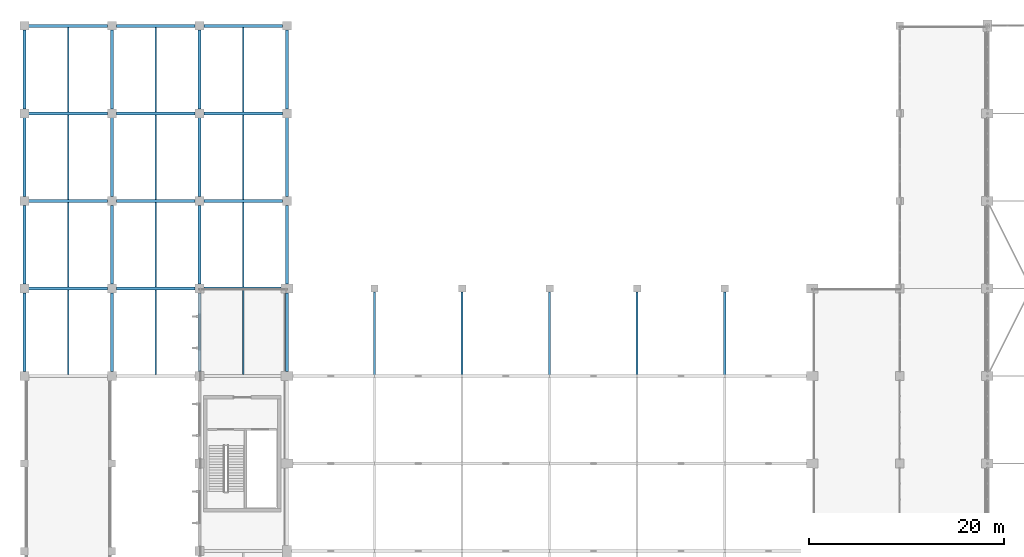
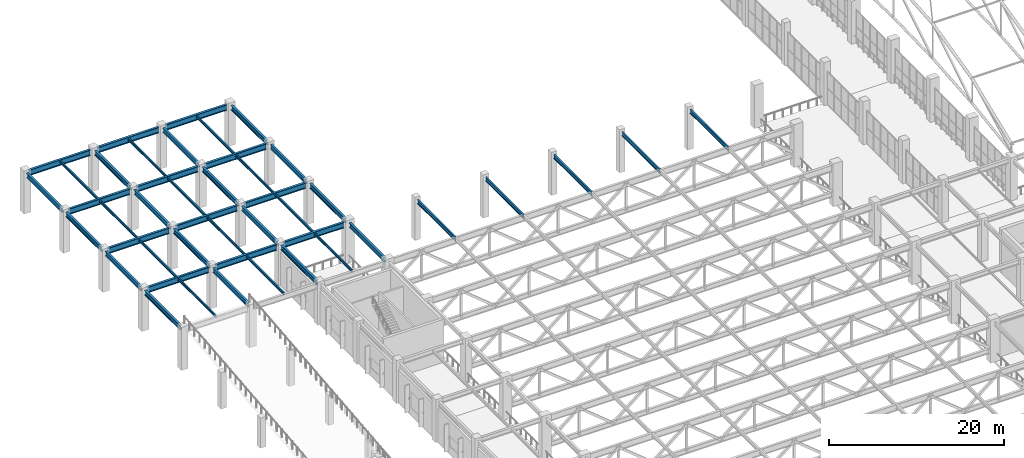
# One storey, part 106 of 223: 45 beams.
"""IFC4 building model written with IfcOpenShell, lengths in metres."""

from ifc_helpers import new_model, si_unit, direction, frame, origin, origin_2d, place, context, subcontext, project, spatial, i_section, extrude, material, material_profile, profile_set, type_object, element, save


model = new_model("IFC4")

# Units and contexts
model_context = context("Model", 3, precision=1e-05, world=origin(), true_north=direction((0.0, 1.0)))
body_context = subcontext(model_context, "Body", "Model", "MODEL_VIEW")
ifc_project = project(units=[si_unit("LENGTHUNIT", "METRE"), si_unit("AREAUNIT", "SQUARE_METRE"), si_unit("VOLUMEUNIT", "CUBIC_METRE"), si_unit("PLANEANGLEUNIT", "RADIAN"), si_unit("MASSUNIT", "GRAM", prefix="KILO")], contexts=[model_context])

# Site, building, storey
site_placement = place(None, origin())
site = spatial("IfcSite", under=ifc_project, at=site_placement, CompositionType="ELEMENT")
building_placement = place(site_placement, origin())
building = spatial("IfcBuilding", under=site, at=building_placement, Name="Dornveld Trade and Exhibition Forum", CompositionType="ELEMENT")
storey_placement = place(building_placement, frame((0.0, 0.0, 6.0)))
storey = spatial("IfcBuildingStorey", under=building, at=storey_placement, Name="L01", CompositionType="ELEMENT", Elevation=6.0)

# Beams
ifc_material_1 = material(Name="Steel S355J2", Category="steel")
ifc_material_profile_1 = material_profile(ifc_material_1, i_section(OverallWidth=0.300048828125, OverallDepth=0.64990234375, WebThickness=0.01611328125, FlangeThickness=0.031005859375, FilletRadius=0.027099609375, at=origin_2d()), Name="HEB 650")
ifc_profile_set_1 = profile_set([ifc_material_profile_1], Name="Steel S355J2")
beam_type_1 = type_object("IfcBeamType", Name="BM-GIR-HEB650", PredefinedType="USERDEFINED", material=ifc_profile_set_1)
for number, where, z_axis, x_axis, name in (
    (1, (0.0, 126.446044921875, 5.324951171875), (0.0, 1.0, 0.0), (-1.0, 0.0, 0.0), "L01 Y-girder 1089"),
    (2, (0.0, 135.446044921875, 5.324951171875), (0.0, 1.0, 0.0), (-1.0, 0.0, 0.0), "L01 Y-girder 1090"),
    (3, (0.0, 144.446044921875, 5.324951171875), (0.0, 1.0, 0.0), (-1.0, 0.0, 0.0), "L01 Y-girder 1091"),
    (4, (0.0, 153.446044921875, 5.324951171875), (0.0, 1.0, 0.0), (-1.0, 0.0, 0.0), "L01 Y-girder 1092"),
    (5, (9.0, 126.446044921875, 5.324951171875), (0.0, 1.0, 0.0), (-1.0, 0.0, 0.0), "L01 Y-girder 1093"),
    (6, (9.0, 135.446044921875, 5.324951171875), (0.0, 1.0, 0.0), (-1.0, 0.0, 0.0), "L01 Y-girder 1094"),
    (7, (9.0, 144.446044921875, 5.324951171875), (0.0, 1.0, 0.0), (-1.0, 0.0, 0.0), "L01 Y-girder 1095"),
    (8, (9.0, 153.446044921875, 5.324951171875), (0.0, 1.0, 0.0), (-1.0, 0.0, 0.0), "L01 Y-girder 1096"),
    (9, (18.0, 126.446044921875, 5.324951171875), (0.0, 1.0, 0.0), (-1.0, 0.0, 0.0), "L01 Y-girder 1097"),
    (10, (18.0, 135.446044921875, 5.324951171875), (0.0, 1.0, 0.0), (-1.0, 0.0, 0.0), "L01 Y-girder 1098"),
    (11, (18.0, 144.446044921875, 5.324951171875), (0.0, 1.0, 0.0), (-1.0, 0.0, 0.0), "L01 Y-girder 1099"),
    (12, (18.0, 153.446044921875, 5.324951171875), (0.0, 1.0, 0.0), (-1.0, 0.0, 0.0), "L01 Y-girder 1100"),
    (13, (27.0, 126.446044921875, 5.31298828125), (0.0, 1.0, 0.0), (-1.0, 0.0, 0.0), "L01 Y-girder 1101"),
    (14, (27.0, 135.446044921875, 5.324951171875), (0.0, 1.0, 0.0), (-1.0, 0.0, 0.0), "L01 Y-girder 1102"),
    (15, (27.0, 144.446044921875, 5.324951171875), (0.0, 1.0, 0.0), (-1.0, 0.0, 0.0), "L01 Y-girder 1103"),
    (16, (27.0, 153.446044921875, 5.324951171875), (0.0, 1.0, 0.0), (-1.0, 0.0, 0.0), "L01 Y-girder 1104"),
):
    element("IfcBeam", number, at=place(storey_placement, frame(where, z_axis=z_axis, x_axis=x_axis)), inside=storey, type_object=beam_type_1, Name=name, ObjectType="GIRDER", PredefinedType="USERDEFINED", context=body_context, shape_type="SweptSolid", body=[
        extrude(i_section(OverallWidth=0.300048828125, OverallDepth=0.64990234375, WebThickness=0.01611328125, FlangeThickness=0.031005859375, FilletRadius=0.027099609375, at=origin_2d()), origin(), (0.0, 0.0, 1.0), 8.10791015625),
    ])
ifc_material_2 = material(Name="Steel S355J2", Category="steel")
ifc_material_profile_2 = material_profile(ifc_material_2, i_section(OverallWidth=0.300048828125, OverallDepth=0.800048828125, WebThickness=0.017578125, FlangeThickness=0.032958984375, FilletRadius=0.030029296875, at=origin_2d()), Name="HEB 800")
ifc_profile_set_2 = profile_set([ifc_material_profile_2], Name="Steel S355J2")
beam_type_2 = type_object("IfcBeamType", Name="BM-GIR-HEB800", PredefinedType="USERDEFINED", material=ifc_profile_set_2)
for number, where, z_axis, x_axis, name in (
    (17, (0.446044921875, 135.0, 5.25), (1.0, 0.0, 0.0), (0.0, 1.0, 0.0), "L01 X-girder 1077"),
    (18, (9.446044921875, 135.0, 5.25), (1.0, 0.0, 0.0), (0.0, 1.0, 0.0), "L01 X-girder 1078"),
):
    element("IfcBeam", number, at=place(storey_placement, frame(where, z_axis=z_axis, x_axis=x_axis)), inside=storey, type_object=beam_type_2, Name=name, ObjectType="GIRDER", PredefinedType="USERDEFINED", context=body_context, shape_type="SweptSolid", body=[
        extrude(i_section(OverallWidth=0.300048828125, OverallDepth=0.800048828125, WebThickness=0.017578125, FlangeThickness=0.032958984375, FilletRadius=0.030029296875, at=origin_2d()), origin(), (0.0, 0.0, 1.0), 8.10791015625),
    ])
beam_placement = place(storey_placement, frame((18.446044921875, 135.0, 5.25), z_axis=(1.0, 0.0, 0.0), x_axis=(0.0, 1.0, 0.0)))
element("IfcBeam", 19, at=beam_placement, inside=storey, type_object=beam_type_2, Name="L01 X-girder 1079", ObjectType="GIRDER", PredefinedType="USERDEFINED", context=body_context, shape_type="SweptSolid", body=[
    extrude(i_section(OverallWidth=0.300048828125, OverallDepth=0.800048828125, WebThickness=0.017578125, FlangeThickness=0.032958984375, FilletRadius=0.030029296875, at=origin_2d()), origin(), (0.0, 0.0, 1.0), 7.9580078125),
])
for number, where, z_axis, x_axis, name in (
    (20, (0.446044921875, 144.0, 5.25), (1.0, 0.0, 0.0), (0.0, 1.0, 0.0), "L01 X-girder 1080"),
    (21, (9.446044921875, 144.0, 5.25), (1.0, 0.0, 0.0), (0.0, 1.0, 0.0), "L01 X-girder 1081"),
    (22, (18.446044921875, 144.0, 5.25), (1.0, 0.0, 0.0), (0.0, 1.0, 0.0), "L01 X-girder 1082"),
    (23, (0.446044921875, 153.0, 5.25), (1.0, 0.0, 0.0), (0.0, 1.0, 0.0), "L01 X-girder 1083"),
    (24, (9.446044921875, 153.0, 5.25), (1.0, 0.0, 0.0), (0.0, 1.0, 0.0), "L01 X-girder 1084"),
    (25, (18.446044921875, 153.0, 5.25), (1.0, 0.0, 0.0), (0.0, 1.0, 0.0), "L01 X-girder 1085"),
    (26, (0.446044921875, 162.0, 5.25), (1.0, 0.0, 0.0), (0.0, 1.0, 0.0), "L01 X-girder 1086"),
    (27, (9.446044921875, 162.0, 5.25), (1.0, 0.0, 0.0), (0.0, 1.0, 0.0), "L01 X-girder 1087"),
    (28, (18.446044921875, 162.0, 5.25), (1.0, 0.0, 0.0), (0.0, 1.0, 0.0), "L01 X-girder 1088"),
):
    element("IfcBeam", number, at=place(storey_placement, frame(where, z_axis=z_axis, x_axis=x_axis)), inside=storey, type_object=beam_type_2, Name=name, ObjectType="GIRDER", PredefinedType="USERDEFINED", context=body_context, shape_type="SweptSolid", body=[
        extrude(i_section(OverallWidth=0.300048828125, OverallDepth=0.800048828125, WebThickness=0.017578125, FlangeThickness=0.032958984375, FilletRadius=0.030029296875, at=origin_2d()), origin(), (0.0, 0.0, 1.0), 8.10791015625),
    ])
ifc_material_3 = material(Name="Steel S355J2", Category="steel")
ifc_material_profile_3 = material_profile(ifc_material_3, i_section(OverallWidth=0.169921875, OverallDepth=0.360107421875, WebThickness=0.008056640625, FlangeThickness=0.0126953125, FilletRadius=0.01806640625, at=origin_2d()), Name="IPE 360")
ifc_profile_set_3 = profile_set([ifc_material_profile_3], Name="Steel S355J2")
beam_type_3 = type_object("IfcBeamType", Name="BM-JOIST-360", PredefinedType="JOIST", material=ifc_profile_set_3)
for number, where, z_axis, x_axis, name in (
    (29, (4.5, 126.14697265625, 5.469970703125), (0.0, 1.0, 0.0), (-1.0, 0.0, 0.0), "L01 secondary joist 1105"),
    (30, (4.5, 135.14697265625, 5.469970703125), (0.0, 1.0, 0.0), (-1.0, 0.0, 0.0), "L01 secondary joist 1106"),
    (31, (4.5, 144.14697265625, 5.469970703125), (0.0, 1.0, 0.0), (-1.0, 0.0, 0.0), "L01 secondary joist 1107"),
    (32, (4.5, 153.14697265625, 5.469970703125), (0.0, 1.0, 0.0), (-1.0, 0.0, 0.0), "L01 secondary joist 1108"),
    (33, (13.5, 126.14697265625, 5.469970703125), (0.0, 1.0, 0.0), (-1.0, 0.0, 0.0), "L01 secondary joist 1109"),
    (34, (13.5, 135.14697265625, 5.469970703125), (0.0, 1.0, 0.0), (-1.0, 0.0, 0.0), "L01 secondary joist 1110"),
    (35, (13.5, 144.14697265625, 5.469970703125), (0.0, 1.0, 0.0), (-1.0, 0.0, 0.0), "L01 secondary joist 1111"),
    (36, (13.5, 153.14697265625, 5.469970703125), (0.0, 1.0, 0.0), (-1.0, 0.0, 0.0), "L01 secondary joist 1112"),
    (37, (22.5, 126.14697265625, 5.469970703125), (0.0, 1.0, 0.0), (-1.0, 0.0, 0.0), "L01 secondary joist 1113"),
    (38, (22.5, 135.14697265625, 5.469970703125), (0.0, 1.0, 0.0), (-1.0, 0.0, 0.0), "L01 secondary joist 1114"),
    (39, (22.5, 144.14697265625, 5.469970703125), (0.0, 1.0, 0.0), (-1.0, 0.0, 0.0), "L01 secondary joist 1115"),
    (40, (22.5, 153.14697265625, 5.469970703125), (0.0, 1.0, 0.0), (-1.0, 0.0, 0.0), "L01 secondary joist 1116"),
):
    element("IfcBeam", number, at=place(storey_placement, frame(where, z_axis=z_axis, x_axis=x_axis)), inside=storey, type_object=beam_type_3, Name=name, PredefinedType="JOIST", context=body_context, shape_type="SweptSolid", body=[
        extrude(i_section(OverallWidth=0.169921875, OverallDepth=0.360107421875, WebThickness=0.008056640625, FlangeThickness=0.0126953125, FilletRadius=0.01806640625, at=origin_2d()), origin(), (0.0, 0.0, 1.0), 8.7060546875),
    ])
ifc_material_4 = material(Name="Steel S355J2", Category="steel")
ifc_material_profile_4 = material_profile(ifc_material_4, i_section(OverallWidth=0.2099609375, OverallDepth=0.550048828125, WebThickness=0.010986328125, FlangeThickness=0.01708984375, FilletRadius=0.02392578125, at=origin_2d()), Name="IPE 550")
ifc_profile_set_4 = profile_set([ifc_material_profile_4], Name="Steel S355J2")
beam_type_4 = type_object("IfcBeamType", Name="BM-SEC-550", PredefinedType="BEAM", material=ifc_profile_set_4)
for number, where, z_axis, x_axis, name in (
    (41, (36.0, 126.0, 5.364990234375), (0.0, 1.0, 0.0), (-1.0, 0.0, 0.0), "Hall 3 secondary deck beam 1384"),
    (42, (45.0, 126.0, 5.364990234375), (0.0, 1.0, 0.0), (-1.0, 0.0, 0.0), "Hall 3 secondary deck beam 1395"),
    (43, (54.0, 126.0, 5.364990234375), (0.0, 1.0, 0.0), (-1.0, 0.0, 0.0), "Hall 3 secondary deck beam 1406"),
    (44, (63.0, 126.0, 5.364990234375), (0.0, 1.0, 0.0), (-1.0, 0.0, 0.0), "Hall 3 secondary deck beam 1417"),
    (45, (72.0, 126.0, 5.364990234375), (0.0, 1.0, 0.0), (-1.0, 0.0, 0.0), "Hall 3 secondary deck beam 1428"),
):
    element("IfcBeam", number, at=place(storey_placement, frame(where, z_axis=z_axis, x_axis=x_axis)), inside=storey, type_object=beam_type_4, Name=name, PredefinedType="BEAM", context=body_context, shape_type="SweptSolid", body=[
        extrude(i_section(OverallWidth=0.2099609375, OverallDepth=0.550048828125, WebThickness=0.010986328125, FlangeThickness=0.01708984375, FilletRadius=0.02392578125, at=origin_2d()), origin(), (0.0, 0.0, 1.0), 8.62890625),
    ])

save(model, "model.ifc")
